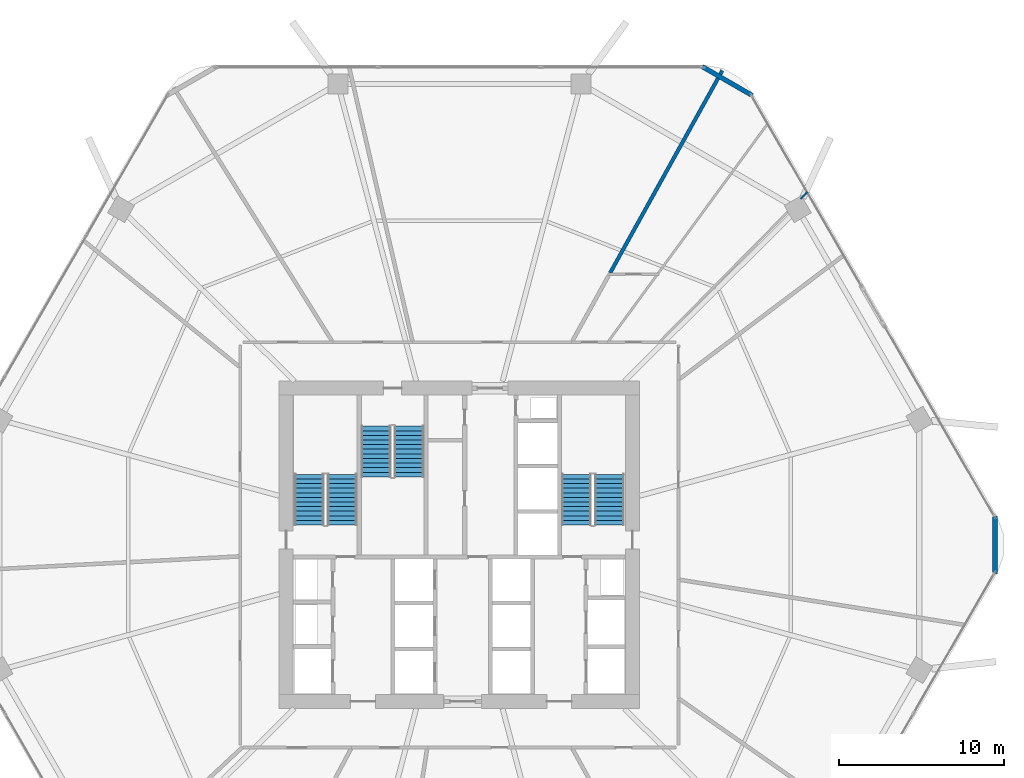
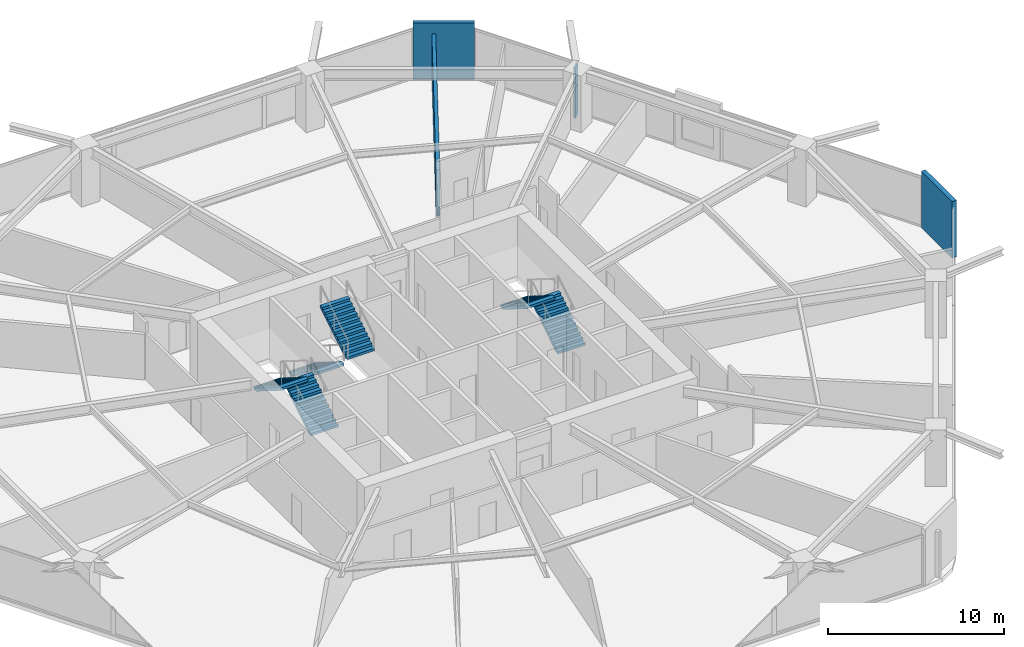
# One storey, part 24 of 25: 6 stair flights, 4 walls, 3 elements without a shape of their own.
"""IFC4 building model written with IfcOpenShell, lengths in metres."""

from ifc_helpers import new_model, si_unit, direction, frame, frame_2d, origin, place, context, subcontext, project, spatial, polyline, rectangle, outline, extrude, material, layer, layer_set, type_object, element, aggregate, save


model = new_model("IFC4")

# Units and contexts
model_context = context("Model", 3, precision=1e-05, world=origin(), true_north=direction((0.0, 1.0)))
body_context = subcontext(model_context, "Body", "Model", "MODEL_VIEW")
ifc_project = project(units=[si_unit("LENGTHUNIT", "METRE"), si_unit("AREAUNIT", "SQUARE_METRE"), si_unit("VOLUMEUNIT", "CUBIC_METRE"), si_unit("PLANEANGLEUNIT", "RADIAN"), si_unit("MASSUNIT", "GRAM", prefix="KILO")], contexts=[model_context])

# Site, building, storey
site_placement = place(None, origin())
site = spatial("IfcSite", under=ifc_project, at=site_placement, CompositionType="ELEMENT")
building_placement = place(site_placement, origin())
building = spatial("IfcBuilding", under=site, at=building_placement, Name="Zuhravey Tower", CompositionType="ELEMENT")
storey_placement = place(building_placement, frame((0.0, 0.0, 37.199951171875)))
storey = spatial("IfcBuildingStorey", under=building, at=storey_placement, Name="L09", CompositionType="ELEMENT", Elevation=37.199951171875)

# Walls
ifc_material_1 = material(Name="Precast concrete C40/50", Category="concrete")
ifc_layer_1 = layer(ifc_material_1, 0.280029296875)
ifc_layer_set_1 = layer_set([ifc_layer_1], Name="Precast concrete C40/50")
wall_type_1 = type_object("IfcWallType", Name="Crown Architectural Wall 280", PredefinedType="SOLIDWALL", material=ifc_layer_set_1)
wall_1_placement = place(storey_placement, frame((50.71728515625, 61.006103515625, 0.0), z_axis=(0.0, 0.0, 1.0), x_axis=(0.866007452331, -0.500031091541, 0.0)))
element("IfcWall", 1, at=wall_1_placement, inside=storey, type_object=wall_type_1, Name="L09 Rounded Corner Closure Wall EW28-10", PredefinedType="SOLIDWALL", context=body_context, shape_type="SweptSolid", body=[
    extrude(rectangle(XDim=3.514892578125, YDim=0.280029296875, at=frame_2d((1.75732421875, 0.0))), origin(), (0.0, 0.0, 1.0), 3.920166015625),
])
wall_2_placement = place(storey_placement, frame((68.478515625, 33.757568359375, 0.0), z_axis=(0.0, 0.0, 1.0), x_axis=(0.0, -1.0, 0.0)))
element("IfcWall", 2, at=wall_2_placement, inside=storey, type_object=wall_type_1, Name="L09 Rounded Corner Closure Wall EW28-12", PredefinedType="SOLIDWALL", context=body_context, shape_type="SweptSolid", body=[
    extrude(rectangle(XDim=3.51513671875, YDim=0.280029296875, at=frame_2d((1.757568359375, 0.0))), origin(), (0.0, 0.0, 1.0), 3.920166015625),
])
ifc_material_2 = material(Name="Gypsum acoustic stud assembly")
ifc_layer_2 = layer(ifc_material_2, 0.219970703125)
ifc_layer_set_2 = layer_set([ifc_layer_2], Name="Gypsum acoustic stud assembly")
wall_type_2 = type_object("IfcWallType", Name="School Acoustic Compartment Wall 220", PredefinedType="PARTITIONING", material=ifc_layer_set_2)
wall_3_placement = place(storey_placement, frame((45.14208984375, 48.492919921875, 0.0), z_axis=(0.0, 0.0, 1.0), x_axis=(0.484815156974, 0.874616638058, 0.0)))
element("IfcWall", 3, at=wall_3_placement, inside=storey, type_object=wall_type_2, Name="L09 IW22 Partition 049", PredefinedType="PARTITIONING", context=body_context, shape_type="SweptSolid", body=[
    extrude(rectangle(XDim=14.027099609375, YDim=0.219970703125, at=frame_2d((7.013671875, 0.0))), origin(), (0.0, 0.0, 1.0), 3.170166015625),
])
ifc_material_3 = material(Name="Gypsum metal-stud partition")
ifc_layer_3 = layer(ifc_material_3, 0.1201171875)
ifc_layer_set_3 = layer_set([ifc_layer_3], Name="Gypsum metal-stud partition")
wall_type_3 = type_object("IfcWallType", Name="Unit Internal Partition 120", PredefinedType="PARTITIONING", material=ifc_layer_set_3)
wall_4_placement = place(storey_placement, frame((56.68603515625, 52.976806640625, 0.0), z_axis=(0.0, 0.0, 1.0), x_axis=(0.702004585151, 0.712172424646, 0.0)))
element("IfcWall", 4, at=wall_4_placement, inside=storey, type_object=wall_type_3, Name="L09 IW12 Partition 045", PredefinedType="PARTITIONING", context=body_context, shape_type="SweptSolid", body=[
    extrude(rectangle(XDim=0.576171875, YDim=0.1201171875, at=frame_2d((0.2880859375, 0.0))), origin(), (0.0, 0.0, 1.0), 3.491943359375),
])

# Stair, stair flights
ifc_material_4 = material(Name="Concrete C40/50", Category="concrete")
stair_type = type_object("IfcStairType", Name="School Storey Stair Assembly 4200", PredefinedType="HALF_TURN_STAIR", material=ifc_material_4)
stair_1_placement = place(storey_placement, origin())
stair_1 = element("IfcStair", 5, at=stair_1_placement, inside=storey, type_object=stair_type, Name="L09 Core Exit Stair ST1", PredefinedType="HALF_TURN_STAIR")
stair_flight_type = type_object("IfcStairFlightType", Name="School Storey Stair Flight 4200", PredefinedType="STRAIGHT", material=ifc_material_4)
stair_flight_1_placement = place(storey_placement, frame((28.89990234375, 33.199951171875, 0.0), z_axis=(0.0, 0.0, 1.0), x_axis=(0.0, 1.0, 0.0)))
stair_flight_1 = element("IfcStairFlight", 6, at=stair_flight_1_placement, type_object=stair_flight_type, Name="ST1 flight 1", NumberOfRisers=12, NumberOfTreads=11, PredefinedType="STRAIGHT", RiserHeight=0.175, TreadLength=0.28, context=body_context, shape_type="SweptSolid", body=[
    extrude(outline(polyline([(0.0, 0.0), (0.0, 0.175048828125), (0.280029296875, 0.175048828125), (0.280029296875, 0.35009765625), (0.56005859375, 0.35009765625), (0.56005859375, 0.52490234375), (0.840087890625, 0.52490234375), (0.840087890625, 0.699951171875), (1.1201171875, 0.699951171875), (1.1201171875, 0.875), (1.39990234375, 0.875), (1.39990234375, 1.050048828125), (1.679931640625, 1.050048828125), (1.679931640625, 1.22509765625), (1.9599609375, 1.22509765625), (1.9599609375, 1.39990234375), (2.239990234375, 1.39990234375), (2.239990234375, 1.574951171875), (2.52001953125, 1.574951171875), (2.52001953125, 1.75), (2.800048828125, 1.75), (2.800048828125, 1.925048828125), (3.080078125, 1.925048828125), (3.080078125, 2.10009765625), (3.080078125, 1.748291015625), (0.28271484375, 0.0), (0.0, 0.0)])), frame((0.0, 0.89990234375, 0.0), z_axis=(0.0, -1.0, 0.0), x_axis=(1.0, 0.0, 0.0)), (0.0, 0.0, 1.0), 1.800048828125),
])
stair_flight_2_placement = place(storey_placement, frame((26.89990234375, 36.280029296875, 2.10009765625), z_axis=(0.0, 0.0, 1.0), x_axis=(0.0, -1.0, 0.0)))
stair_flight_2 = element("IfcStairFlight", 7, at=stair_flight_2_placement, type_object=stair_flight_type, Name="ST1 flight 2", NumberOfRisers=12, NumberOfTreads=11, PredefinedType="STRAIGHT", RiserHeight=0.175, TreadLength=0.28, context=body_context, shape_type="SweptSolid", body=[
    extrude(outline(polyline([(0.0, 0.0), (0.0, 0.175048828125), (0.280029296875, 0.175048828125), (0.280029296875, 0.35009765625), (0.56005859375, 0.35009765625), (0.56005859375, 0.52490234375), (0.840087890625, 0.52490234375), (0.840087890625, 0.699951171875), (1.1201171875, 0.699951171875), (1.1201171875, 0.875), (1.39990234375, 0.875), (1.39990234375, 1.050048828125), (1.679931640625, 1.050048828125), (1.679931640625, 1.22509765625), (1.9599609375, 1.22509765625), (1.9599609375, 1.39990234375), (2.239990234375, 1.39990234375), (2.239990234375, 1.574951171875), (2.52001953125, 1.574951171875), (2.52001953125, 1.75), (2.800048828125, 1.75), (2.800048828125, 1.925048828125), (3.080078125, 1.925048828125), (3.080078125, 2.10009765625), (3.080078125, 1.748291015625), (0.28271484375, 0.0), (0.0, 0.0)])), frame((0.0, 0.89990234375, 0.0), z_axis=(0.0, -1.0, 0.0), x_axis=(1.0, 0.0, 0.0)), (0.0, 0.0, 1.0), 1.800048828125),
])
aggregate(stair_1, [stair_flight_1, stair_flight_2])

stair_2_placement = place(storey_placement, origin())
stair_2 = element("IfcStair", 8, at=stair_2_placement, inside=storey, type_object=stair_type, Name="L09 Core Exit Stair ST2", PredefinedType="HALF_TURN_STAIR")
stair_flight_3_placement = place(storey_placement, frame((45.10009765625, 33.199951171875, 0.0), z_axis=(0.0, 0.0, 1.0), x_axis=(0.0, 1.0, 0.0)))
stair_flight_3 = element("IfcStairFlight", 9, at=stair_flight_3_placement, type_object=stair_flight_type, Name="ST2 flight 1", NumberOfRisers=12, NumberOfTreads=11, PredefinedType="STRAIGHT", RiserHeight=0.175, TreadLength=0.28, context=body_context, shape_type="SweptSolid", body=[
    extrude(outline(polyline([(0.0, 0.0), (0.0, 0.175048828125), (0.280029296875, 0.175048828125), (0.280029296875, 0.35009765625), (0.56005859375, 0.35009765625), (0.56005859375, 0.52490234375), (0.840087890625, 0.52490234375), (0.840087890625, 0.699951171875), (1.1201171875, 0.699951171875), (1.1201171875, 0.875), (1.39990234375, 0.875), (1.39990234375, 1.050048828125), (1.679931640625, 1.050048828125), (1.679931640625, 1.22509765625), (1.9599609375, 1.22509765625), (1.9599609375, 1.39990234375), (2.239990234375, 1.39990234375), (2.239990234375, 1.574951171875), (2.52001953125, 1.574951171875), (2.52001953125, 1.75), (2.800048828125, 1.75), (2.800048828125, 1.925048828125), (3.080078125, 1.925048828125), (3.080078125, 2.10009765625), (3.080078125, 1.748291015625), (0.28271484375, 0.0), (0.0, 0.0)])), frame((0.0, 0.89990234375, 0.0), z_axis=(0.0, -1.0, 0.0), x_axis=(1.0, 0.0, 0.0)), (0.0, 0.0, 1.0), 1.800048828125),
])
stair_flight_4_placement = place(storey_placement, frame((43.10009765625, 36.280029296875, 2.10009765625), z_axis=(0.0, 0.0, 1.0), x_axis=(0.0, -1.0, 0.0)))
stair_flight_4 = element("IfcStairFlight", 10, at=stair_flight_4_placement, type_object=stair_flight_type, Name="ST2 flight 2", NumberOfRisers=12, NumberOfTreads=11, PredefinedType="STRAIGHT", RiserHeight=0.175, TreadLength=0.28, context=body_context, shape_type="SweptSolid", body=[
    extrude(outline(polyline([(0.0, 0.0), (0.0, 0.175048828125), (0.280029296875, 0.175048828125), (0.280029296875, 0.35009765625), (0.56005859375, 0.35009765625), (0.56005859375, 0.52490234375), (0.840087890625, 0.52490234375), (0.840087890625, 0.699951171875), (1.1201171875, 0.699951171875), (1.1201171875, 0.875), (1.39990234375, 0.875), (1.39990234375, 1.050048828125), (1.679931640625, 1.050048828125), (1.679931640625, 1.22509765625), (1.9599609375, 1.22509765625), (1.9599609375, 1.39990234375), (2.239990234375, 1.39990234375), (2.239990234375, 1.574951171875), (2.52001953125, 1.574951171875), (2.52001953125, 1.75), (2.800048828125, 1.75), (2.800048828125, 1.925048828125), (3.080078125, 1.925048828125), (3.080078125, 2.10009765625), (3.080078125, 1.748291015625), (0.28271484375, 0.0), (0.0, 0.0)])), frame((0.0, 0.89990234375, 0.0), z_axis=(0.0, -1.0, 0.0), x_axis=(1.0, 0.0, 0.0)), (0.0, 0.0, 1.0), 1.800048828125),
])
aggregate(stair_2, [stair_flight_3, stair_flight_4])

stair_3_placement = place(storey_placement, origin())
stair_3 = element("IfcStair", 11, at=stair_3_placement, inside=storey, type_object=stair_type, Name="L09 Core Exit Stair ST3", PredefinedType="HALF_TURN_STAIR")
stair_flight_5_placement = place(storey_placement, frame((30.949951171875, 39.199951171875, 0.0), z_axis=(0.0, 0.0, 1.0), x_axis=(0.0, -1.0, 0.0)))
stair_flight_5 = element("IfcStairFlight", 12, at=stair_flight_5_placement, type_object=stair_flight_type, Name="ST3 flight 1", NumberOfRisers=12, NumberOfTreads=11, PredefinedType="STRAIGHT", RiserHeight=0.175, TreadLength=0.28, context=body_context, shape_type="SweptSolid", body=[
    extrude(outline(polyline([(0.0, 0.0), (0.0, 0.175048828125), (0.280029296875, 0.175048828125), (0.280029296875, 0.35009765625), (0.56005859375, 0.35009765625), (0.56005859375, 0.52490234375), (0.840087890625, 0.52490234375), (0.840087890625, 0.699951171875), (1.1201171875, 0.699951171875), (1.1201171875, 0.875), (1.39990234375, 0.875), (1.39990234375, 1.050048828125), (1.679931640625, 1.050048828125), (1.679931640625, 1.22509765625), (1.9599609375, 1.22509765625), (1.9599609375, 1.39990234375), (2.239990234375, 1.39990234375), (2.239990234375, 1.574951171875), (2.52001953125, 1.574951171875), (2.52001953125, 1.75), (2.800048828125, 1.75), (2.800048828125, 1.925048828125), (3.080078125, 1.925048828125), (3.080078125, 2.10009765625), (3.080078125, 1.748291015625), (0.28271484375, 0.0), (0.0, 0.0)])), frame((0.0, 0.89990234375, 0.0), z_axis=(0.0, -1.0, 0.0), x_axis=(1.0, 0.0, 0.0)), (0.0, 0.0, 1.0), 1.800048828125),
])
stair_flight_6_placement = place(storey_placement, frame((32.949951171875, 36.1201171875, 2.10009765625), z_axis=(0.0, 0.0, 1.0), x_axis=(0.0, 1.0, 0.0)))
stair_flight_6 = element("IfcStairFlight", 13, at=stair_flight_6_placement, type_object=stair_flight_type, Name="ST3 flight 2", NumberOfRisers=12, NumberOfTreads=11, PredefinedType="STRAIGHT", RiserHeight=0.175, TreadLength=0.28, context=body_context, shape_type="SweptSolid", body=[
    extrude(outline(polyline([(0.0, 0.0), (0.0, 0.175048828125), (0.280029296875, 0.175048828125), (0.280029296875, 0.35009765625), (0.56005859375, 0.35009765625), (0.56005859375, 0.52490234375), (0.840087890625, 0.52490234375), (0.840087890625, 0.699951171875), (1.1201171875, 0.699951171875), (1.1201171875, 0.875), (1.39990234375, 0.875), (1.39990234375, 1.050048828125), (1.679931640625, 1.050048828125), (1.679931640625, 1.22509765625), (1.9599609375, 1.22509765625), (1.9599609375, 1.39990234375), (2.239990234375, 1.39990234375), (2.239990234375, 1.574951171875), (2.52001953125, 1.574951171875), (2.52001953125, 1.75), (2.800048828125, 1.75), (2.800048828125, 1.925048828125), (3.080078125, 1.925048828125), (3.080078125, 2.10009765625), (3.080078125, 1.748291015625), (0.28271484375, 0.0), (0.0, 0.0)])), frame((0.0, 0.89990234375, 0.0), z_axis=(0.0, -1.0, 0.0), x_axis=(1.0, 0.0, 0.0)), (0.0, 0.0, 1.0), 1.800048828125),
])
aggregate(stair_3, [stair_flight_5, stair_flight_6])

save(model, "model.ifc")
